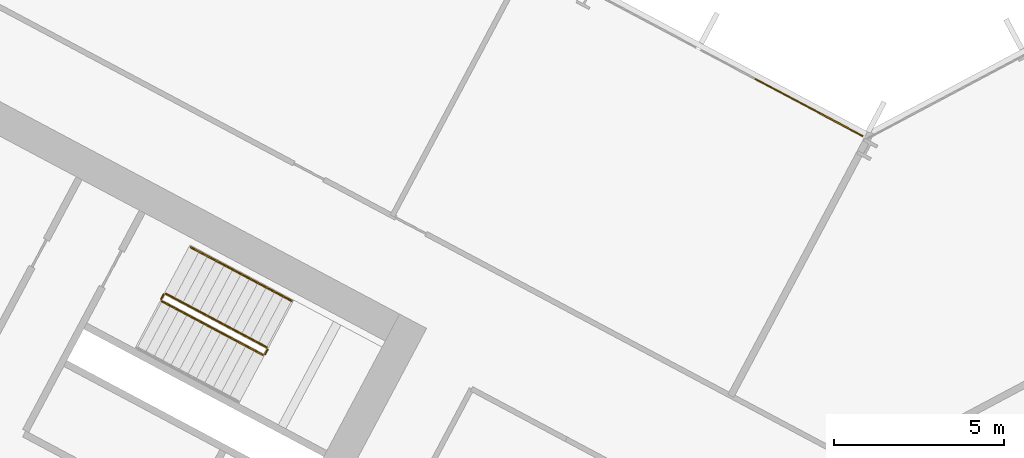
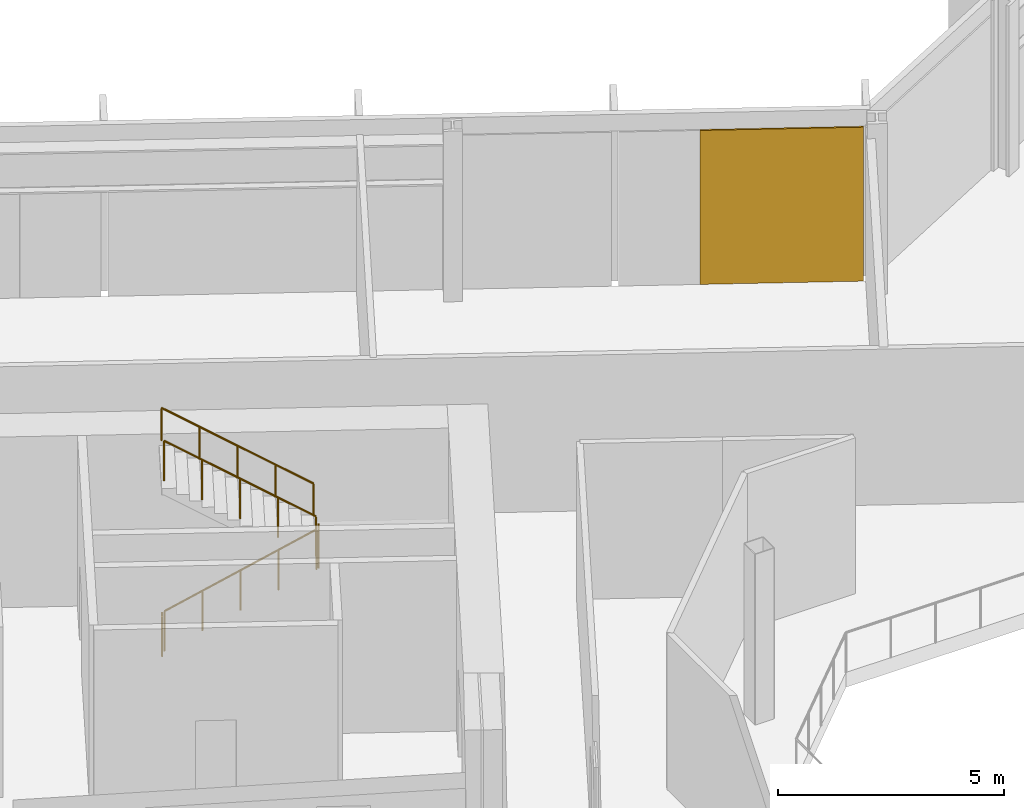
# One storey, part 24 of 30: 5 railings, 1 covering, 1 element without a shape of its own.
"""IFC4 building model written with IfcOpenShell, lengths in metres."""

from ifc_helpers import new_model, si_unit, direction, frame, origin, origin_2d, place, context, subcontext, project, spatial, polyline, rectangle, outline, extrude, material, layer, layer_set, type_object, element, aggregate, save


model = new_model("IFC4")

# Units and contexts
model_context = context("Model", 3, precision=1e-05, world=origin(), true_north=direction((0.0, 1.0)))
body_context = subcontext(model_context, "Body", "Model", "MODEL_VIEW")
ifc_project = project(units=[si_unit("LENGTHUNIT", "METRE"), si_unit("AREAUNIT", "SQUARE_METRE"), si_unit("VOLUMEUNIT", "CUBIC_METRE"), si_unit("PLANEANGLEUNIT", "RADIAN"), si_unit("MASSUNIT", "GRAM", prefix="KILO")], contexts=[model_context])

# Site, building, storey
site_placement = place(None, origin())
site = spatial("IfcSite", under=ifc_project, at=site_placement, CompositionType="ELEMENT")
building_placement = place(site_placement, origin())
building = spatial("IfcBuilding", under=site, at=building_placement, Name="Cormorant Relay Tower", CompositionType="ELEMENT")
storey_placement = place(building_placement, frame((0.0, 0.0, 80.0)))
storey = spatial("IfcBuildingStorey", under=building, at=storey_placement, Name="L15", CompositionType="ELEMENT", Elevation=80.0)

# Curtain wall, covering
ifc_material_1 = material(Name="Aluminium 6063-T6 anodised bronze", Category="aluminium")
ifc_layer_1 = layer(ifc_material_1, 0.199951171875)
ifc_layer_set_1 = layer_set([ifc_layer_1], Name="CW1 unitised bronze curtain wall with vertical fins")
curtain_wall_type = type_object("IfcCurtainWallType", Name="CW1 unitised bronze curtain wall with vertical fins", PredefinedType="NOTDEFINED", material=ifc_layer_set_1)
curtain_wall_placement = place(storey_placement, origin())
curtain_wall = element("IfcCurtainWall", 1, at=curtain_wall_placement, inside=storey, type_object=curtain_wall_type, Name="CW1 curtain wall 7", PredefinedType="NOTDEFINED")
ifc_material_2 = material(Name="Pale bronze anodised aluminium insulated panel", Category="aluminium")
ifc_layer_2 = layer(ifc_material_2, 0.0400390625)
ifc_layer_set_2 = layer_set([ifc_layer_2], Name="CW1 pale bronze insulated panel 40")
covering_type = type_object("IfcCoveringType", Name="CW1 pale bronze insulated panel 40", PredefinedType="CLADDING", material=ifc_layer_set_2)
covering_placement = place(storey_placement, frame((-1.718505859375, 24.720458984375, 0.0), z_axis=(0.0, 0.0, 1.0), x_axis=(-0.882947592859, 0.469471562786, 0.0)))
covering = element("IfcCovering", 2, at=covering_placement, type_object=covering_type, Name="CW1 panel S00", PredefinedType="CLADDING", context=body_context, shape_type="SweptSolid", body=[
    extrude(rectangle(XDim=3.614013671875, YDim=0.0400390625, at=origin_2d()), origin(), (0.0, 0.0, 1.0), 4.14990234375),
])
aggregate(curtain_wall, [covering])

# Railings
ifc_material_3 = material(Name="Steel ASTM A572 Grade 50 (Fy 345 MPa)", Category="steel")
railing_type_1 = type_object("IfcRailingType", Name="Stair guard 1100", PredefinedType="GUARDRAIL", material=ifc_material_3)
railing_1_placement = place(storey_placement, frame((-20.75048828125, 19.017822265625, 0.177001953125)))
element("IfcRailing", 3, at=railing_1_placement, inside=storey, type_object=railing_type_1, Name="L15 A1 stair guard 1", PredefinedType="GUARDRAIL", context=body_context, shape_type="SweptSolid", body=[
    extrude(outline(polyline([(0.022216796875, 0.00927734375), (0.00927734375, 0.022216796875), (-0.00927734375, 0.022216796875), (-0.022216796875, 0.00927734375), (-0.022216796875, -0.00927734375), (-0.00927734375, -0.022216796875), (0.00927734375, -0.022216796875), (0.022216796875, -0.00927734375), (0.022216796875, 0.00927734375)])), frame((0.0, 0.0, 1.076171875), z_axis=(0.746413465702, -0.396887285154, 0.534179203172), x_axis=(0.469482818608, 0.88294160794, 0.0)), (0.0, 0.0, 1.0), 3.974365234375),
    extrude(outline(polyline([(0.019287109375, 0.008056640625), (0.008056640625, 0.019287109375), (-0.008056640625, 0.019287109375), (-0.019287109375, 0.008056640625), (-0.019287109375, -0.008056640625), (-0.008056640625, -0.019287109375), (0.008056640625, -0.019287109375), (0.019287109375, -0.008056640625), (0.019287109375, 0.008056640625)])), origin(), (0.0, 0.0, 1.0), 1.052001953125),
    extrude(outline(polyline([(0.019287109375, 0.008056640625), (0.008056640625, 0.019287109375), (-0.008056640625, 0.019287109375), (-0.019287109375, 0.008056640625), (-0.019287109375, -0.008056640625), (-0.008056640625, -0.019287109375), (0.008056640625, -0.019287109375), (0.019287109375, -0.008056640625), (0.019287109375, 0.008056640625)])), frame((0.74169921875, -0.394287109375, 0.53076171875)), (0.0, 0.0, 1.0), 1.052001953125),
    extrude(outline(polyline([(0.019287109375, 0.008056640625), (0.008056640625, 0.019287109375), (-0.008056640625, 0.019287109375), (-0.019287109375, 0.008056640625), (-0.019287109375, -0.008056640625), (-0.008056640625, -0.019287109375), (0.008056640625, -0.019287109375), (0.019287109375, -0.008056640625), (0.019287109375, 0.008056640625)])), frame((1.4833984375, -0.78857421875, 1.0615234375)), (0.0, 0.0, 1.0), 1.052001953125),
    extrude(outline(polyline([(0.019287109375, 0.008056640625), (0.008056640625, 0.019287109375), (-0.008056640625, 0.019287109375), (-0.019287109375, 0.008056640625), (-0.019287109375, -0.008056640625), (-0.008056640625, -0.019287109375), (0.008056640625, -0.019287109375), (0.019287109375, -0.008056640625), (0.019287109375, 0.008056640625)])), frame((2.224853515625, -1.18310546875, 1.59228515625)), (0.0, 0.0, 1.0), 1.052001953125),
    extrude(outline(polyline([(0.019287109375, 0.008056640625), (0.008056640625, 0.019287109375), (-0.008056640625, 0.019287109375), (-0.019287109375, 0.008056640625), (-0.019287109375, -0.008056640625), (-0.008056640625, -0.019287109375), (0.008056640625, -0.019287109375), (0.019287109375, -0.008056640625), (0.019287109375, 0.008056640625)])), frame((2.966552734375, -1.577392578125, 2.123046875)), (0.0, 0.0, 1.0), 1.052001953125),
])
railing_2_placement = place(storey_placement, frame((-17.71630859375, 17.461181640625, 2.300048828125)))
element("IfcRailing", 4, at=railing_2_placement, inside=storey, type_object=railing_type_1, Name="L15 A1 stair guard 2", PredefinedType="GUARDRAIL", context=body_context, shape_type="SweptSolid", body=[
    extrude(outline(polyline([(0.022216796875, 0.00927734375), (0.00927734375, 0.022216796875), (-0.00927734375, 0.022216796875), (-0.022216796875, 0.00927734375), (-0.022216796875, -0.00927734375), (-0.00927734375, -0.022216796875), (0.00927734375, -0.022216796875), (0.022216796875, -0.00927734375), (0.022216796875, 0.00927734375)])), frame((0.0, 0.0, 1.076171875), z_axis=(0.470503732759, 0.882398003998, 0.0), x_axis=(-0.882398003998, 0.470503732759, 0.0)), (0.0, 0.0, 1.0), 0.14990234375),
    extrude(outline(polyline([(0.019287109375, 0.008056640625), (0.008056640625, 0.019287109375), (-0.008056640625, 0.019287109375), (-0.019287109375, 0.008056640625), (-0.019287109375, -0.008056640625), (-0.008056640625, -0.019287109375), (0.008056640625, -0.019287109375), (0.019287109375, -0.008056640625), (0.019287109375, 0.008056640625)])), origin(), (0.0, 0.0, 1.0), 1.052001953125),
    extrude(outline(polyline([(0.019287109375, 0.008056640625), (0.008056640625, 0.019287109375), (-0.008056640625, 0.019287109375), (-0.019287109375, 0.008056640625), (-0.019287109375, -0.008056640625), (-0.008056640625, -0.019287109375), (0.008056640625, -0.019287109375), (0.019287109375, -0.008056640625), (0.019287109375, 0.008056640625)])), frame((0.070556640625, 0.13232421875, 0.0)), (0.0, 0.0, 1.0), 1.052001953125),
])
railing_3_placement = place(storey_placement, frame((-17.66650390625, 17.6611328125, 2.476806640625)))
element("IfcRailing", 5, at=railing_3_placement, inside=storey, type_object=railing_type_1, Name="L15 A1 stair guard 3", PredefinedType="GUARDRAIL", context=body_context, shape_type="SweptSolid", body=[
    extrude(outline(polyline([(0.022216796875, 0.00927734375), (0.00927734375, 0.022216796875), (-0.00927734375, 0.022216796875), (-0.022216796875, 0.00927734375), (-0.022216796875, -0.00927734375), (-0.00927734375, -0.022216796875), (0.00927734375, -0.022216796875), (0.022216796875, -0.00927734375), (0.022216796875, 0.00927734375)])), frame((0.0, 0.0, 1.076171875), z_axis=(-0.746416176936, 0.396856066424, 0.534198608526), x_axis=(-0.46945269911, -0.882957622595, 0.0)), (0.0, 0.0, 1.0), 3.974609375),
    extrude(outline(polyline([(0.019287109375, 0.008056640625), (0.008056640625, 0.019287109375), (-0.008056640625, 0.019287109375), (-0.019287109375, 0.008056640625), (-0.019287109375, -0.008056640625), (-0.008056640625, -0.019287109375), (0.008056640625, -0.019287109375), (0.019287109375, -0.008056640625), (0.019287109375, 0.008056640625)])), origin(), (0.0, 0.0, 1.0), 1.052001953125),
    extrude(outline(polyline([(0.019287109375, 0.008056640625), (0.008056640625, 0.019287109375), (-0.008056640625, 0.019287109375), (-0.019287109375, 0.008056640625), (-0.019287109375, -0.008056640625), (-0.008056640625, -0.019287109375), (0.008056640625, -0.019287109375), (0.019287109375, -0.008056640625), (0.019287109375, 0.008056640625)])), frame((-0.74169921875, 0.394287109375, 0.53076171875)), (0.0, 0.0, 1.0), 1.052001953125),
    extrude(outline(polyline([(0.019287109375, 0.008056640625), (0.008056640625, 0.019287109375), (-0.008056640625, 0.019287109375), (-0.019287109375, 0.008056640625), (-0.019287109375, -0.008056640625), (-0.008056640625, -0.019287109375), (0.008056640625, -0.019287109375), (0.019287109375, -0.008056640625), (0.019287109375, 0.008056640625)])), frame((-1.4833984375, 0.78857421875, 1.0615234375)), (0.0, 0.0, 1.0), 1.052001953125),
    extrude(outline(polyline([(0.019287109375, 0.008056640625), (0.008056640625, 0.019287109375), (-0.008056640625, 0.019287109375), (-0.019287109375, 0.008056640625), (-0.019287109375, -0.008056640625), (-0.008056640625, -0.019287109375), (0.008056640625, -0.019287109375), (0.019287109375, -0.008056640625), (0.019287109375, 0.008056640625)])), frame((-2.22509765625, 1.18310546875, 1.592529296875)), (0.0, 0.0, 1.0), 1.052001953125),
    extrude(outline(polyline([(0.019287109375, 0.008056640625), (0.008056640625, 0.019287109375), (-0.008056640625, 0.019287109375), (-0.019287109375, 0.008056640625), (-0.019287109375, -0.008056640625), (-0.008056640625, -0.019287109375), (0.008056640625, -0.019287109375), (0.019287109375, -0.008056640625), (0.019287109375, 0.008056640625)])), frame((-2.966796875, 1.577392578125, 2.123291015625)), (0.0, 0.0, 1.0), 1.052001953125),
])
railing_4_placement = place(storey_placement, frame((-20.771240234375, 19.08544921875, 0.0)))
element("IfcRailing", 6, at=railing_4_placement, inside=storey, type_object=railing_type_1, Name="L15 A1 stair guard 4", PredefinedType="GUARDRAIL", context=body_context, shape_type="SweptSolid", body=[
    extrude(outline(polyline([(0.022216796875, 0.00927734375), (0.00927734375, 0.022216796875), (-0.00927734375, 0.022216796875), (-0.022216796875, 0.00927734375), (-0.022216796875, -0.00927734375), (-0.00927734375, -0.022216796875), (0.00927734375, -0.022216796875), (0.022216796875, -0.00927734375), (0.022216796875, 0.00927734375)])), frame((0.0, 0.0, 1.076171875), z_axis=(0.469828648786, 0.882757634224, 0.0), x_axis=(-0.882757634224, 0.469828648786, 0.0)), (0.0, 0.0, 1.0), 0.150146484375),
    extrude(outline(polyline([(0.019287109375, 0.008056640625), (0.008056640625, 0.019287109375), (-0.008056640625, 0.019287109375), (-0.019287109375, 0.008056640625), (-0.019287109375, -0.008056640625), (-0.008056640625, -0.019287109375), (0.008056640625, -0.019287109375), (0.019287109375, -0.008056640625), (0.019287109375, 0.008056640625)])), origin(), (0.0, 0.0, 1.0), 1.052001953125),
    extrude(outline(polyline([(0.019287109375, 0.008056640625), (0.008056640625, 0.019287109375), (-0.008056640625, 0.019287109375), (-0.019287109375, 0.008056640625), (-0.019287109375, -0.008056640625), (-0.008056640625, -0.019287109375), (0.008056640625, -0.019287109375), (0.019287109375, -0.008056640625), (0.019287109375, 0.008056640625)])), frame((0.070556640625, 0.132568359375, 0.0)), (0.0, 0.0, 1.0), 1.052001953125),
])
ifc_material_4 = material(Name="Steel ASTM A572 Grade 50 (Fy 345 MPa)", Category="steel")
railing_type_2 = type_object("IfcRailingType", Name="Stair handrail 900", PredefinedType="HANDRAIL", material=ifc_material_4)
railing_5_placement = place(storey_placement, frame((-16.938720703125, 19.02978515625, 2.476806640625)))
element("IfcRailing", 7, at=railing_5_placement, inside=storey, type_object=railing_type_2, Name="L15 A1 stair handrail 2", PredefinedType="HANDRAIL", context=body_context, shape_type="SweptSolid", body=[
    extrude(outline(polyline([(0.022216796875, 0.00927734375), (0.00927734375, 0.022216796875), (-0.00927734375, 0.022216796875), (-0.022216796875, 0.00927734375), (-0.022216796875, -0.00927734375), (-0.00927734375, -0.022216796875), (0.00927734375, -0.022216796875), (0.022216796875, -0.00927734375), (0.022216796875, 0.00927734375)])), frame((0.0, 0.0, 0.8759765625), z_axis=(-0.746416176936, 0.396856066424, 0.534198608526), x_axis=(-0.46945269911, -0.882957622595, 0.0)), (0.0, 0.0, 1.0), 3.974609375),
    extrude(outline(polyline([(0.019287109375, 0.008056640625), (0.008056640625, 0.019287109375), (-0.008056640625, 0.019287109375), (-0.019287109375, 0.008056640625), (-0.019287109375, -0.008056640625), (-0.008056640625, -0.019287109375), (0.008056640625, -0.019287109375), (0.019287109375, -0.008056640625), (0.019287109375, 0.008056640625)])), origin(), (0.0, 0.0, 1.0), 0.851806640625),
    extrude(outline(polyline([(0.019287109375, 0.008056640625), (0.008056640625, 0.019287109375), (-0.008056640625, 0.019287109375), (-0.019287109375, 0.008056640625), (-0.019287109375, -0.008056640625), (-0.008056640625, -0.019287109375), (0.008056640625, -0.019287109375), (0.019287109375, -0.008056640625), (0.019287109375, 0.008056640625)])), frame((-0.74169921875, 0.394287109375, 0.53076171875)), (0.0, 0.0, 1.0), 0.851806640625),
    extrude(outline(polyline([(0.019287109375, 0.008056640625), (0.008056640625, 0.019287109375), (-0.008056640625, 0.019287109375), (-0.019287109375, 0.008056640625), (-0.019287109375, -0.008056640625), (-0.008056640625, -0.019287109375), (0.008056640625, -0.019287109375), (0.019287109375, -0.008056640625), (0.019287109375, 0.008056640625)])), frame((-1.4833984375, 0.78857421875, 1.0615234375)), (0.0, 0.0, 1.0), 0.851806640625),
    extrude(outline(polyline([(0.019287109375, 0.008056640625), (0.008056640625, 0.019287109375), (-0.008056640625, 0.019287109375), (-0.019287109375, 0.008056640625), (-0.019287109375, -0.008056640625), (-0.008056640625, -0.019287109375), (0.008056640625, -0.019287109375), (0.019287109375, -0.008056640625), (0.019287109375, 0.008056640625)])), frame((-2.22509765625, 1.18310546875, 1.592529296875)), (0.0, 0.0, 1.0), 0.851806640625),
    extrude(outline(polyline([(0.019287109375, 0.008056640625), (0.008056640625, 0.019287109375), (-0.008056640625, 0.019287109375), (-0.019287109375, 0.008056640625), (-0.019287109375, -0.008056640625), (-0.008056640625, -0.019287109375), (0.008056640625, -0.019287109375), (0.019287109375, -0.008056640625), (0.019287109375, 0.008056640625)])), frame((-2.966796875, 1.577392578125, 2.123291015625)), (0.0, 0.0, 1.0), 0.851806640625),
])

save(model, "model.ifc")
